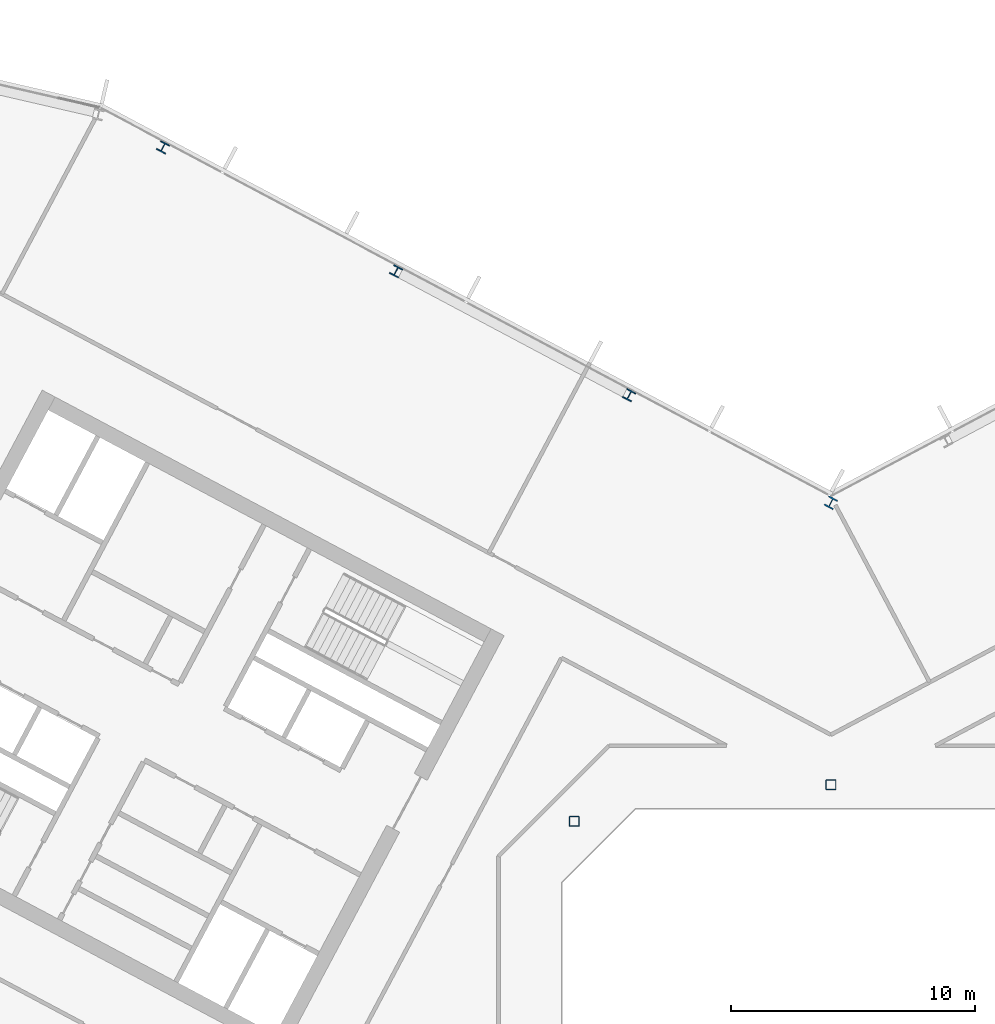
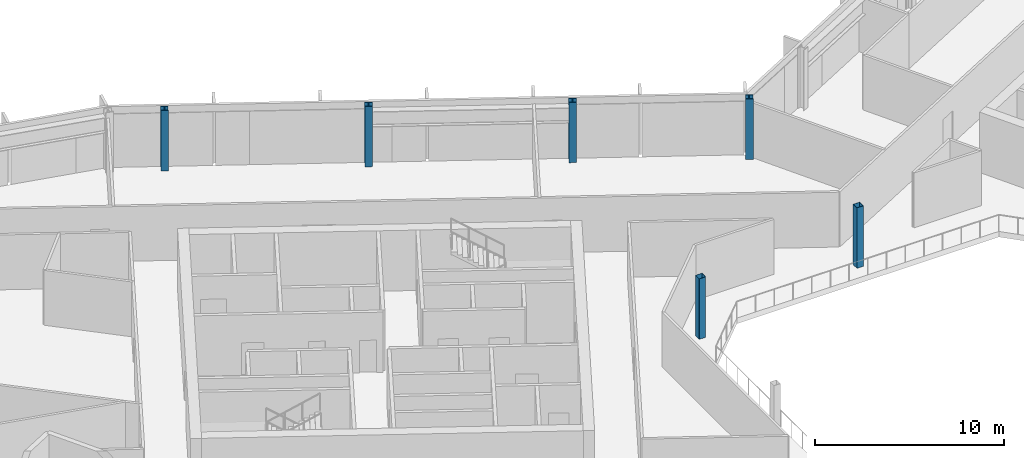
# One storey, part 4 of 26: 6 columns.
"""IFC4 building model written with IfcOpenShell, lengths in metres."""

from ifc_helpers import new_model, si_unit, direction, frame, origin, origin_2d, place, context, subcontext, project, spatial, hollow_rectangle, i_section, extrude, material, material_profile, profile_set, type_object, element, save


model = new_model("IFC4")

# Units and contexts
model_context = context("Model", 3, precision=1e-05, world=origin(), true_north=direction((0.0, 1.0)))
body_context = subcontext(model_context, "Body", "Model", "MODEL_VIEW")
ifc_project = project(units=[si_unit("LENGTHUNIT", "METRE"), si_unit("AREAUNIT", "SQUARE_METRE"), si_unit("VOLUMEUNIT", "CUBIC_METRE"), si_unit("PLANEANGLEUNIT", "RADIAN"), si_unit("MASSUNIT", "GRAM", prefix="KILO")], contexts=[model_context])

# Site, building, storey
site_placement = place(None, origin())
site = spatial("IfcSite", under=ifc_project, at=site_placement, CompositionType="ELEMENT")
building_placement = place(site_placement, origin())
building = spatial("IfcBuilding", under=site, at=building_placement, Name="Cormorant Relay Tower", CompositionType="ELEMENT")
storey_placement = place(building_placement, frame((0.0, 0.0, 236.39990234375)))
storey = spatial("IfcBuildingStorey", under=building, at=storey_placement, Name="L52", CompositionType="ELEMENT", Elevation=236.39990234375)

# Columns
ifc_material_1 = material(Name="Steel ASTM A500 Grade C (Fy 345 MPa)", Category="steel")
ifc_material_profile_1 = material_profile(ifc_material_1, hollow_rectangle(XDim=0.406494140625, YDim=0.406494140625, WallThickness=0.0146484375, InnerFilletRadius=0.00732421875, OuterFilletRadius=0.022216796875, at=origin_2d()), Name="HSS406x406x15")
ifc_profile_set_1 = profile_set([ifc_material_profile_1], Name="Steel ASTM A500 Grade C (Fy 345 MPa)")
column_type_1 = type_object("IfcColumnType", Name="Column HSS406x406x15", PredefinedType="COLUMN", material=ifc_profile_set_1)
for number, where, z_axis, x_axis, name in (
    (1, (-10.5, 10.5, 0.0), (0.0, 0.0, 1.0), (1.0, 0.0, 0.0), "Column L52-023"),
    (2, (0.0, 12.0, 0.0), (0.0, 0.0, 1.0), (1.0, 0.0, 0.0), "Column L52-025"),
):
    element("IfcColumn", number, at=place(storey_placement, frame(where, z_axis=z_axis, x_axis=x_axis)), inside=storey, type_object=column_type_1, Name=name, PredefinedType="COLUMN", context=body_context, shape_type="SweptSolid", body=[
        extrude(hollow_rectangle(XDim=0.406494140625, YDim=0.406494140625, WallThickness=0.0146484375, InnerFilletRadius=0.00732421875, OuterFilletRadius=0.022216796875, at=origin_2d()), origin(), (0.0, 0.0, 1.0), 3.900146484375),
    ])
ifc_material_2 = material(Name="Steel ASTM A992 (Fy 345 MPa)", Category="steel")
ifc_material_profile_2 = material_profile(ifc_material_2, i_section(OverallWidth=0.40380859375, OverallDepth=0.406494140625, WebThickness=0.027099609375, FlangeThickness=0.043701171875, FilletRadius=0.01513671875, at=origin_2d()), Name="W360x347")
ifc_profile_set_2 = profile_set([ifc_material_profile_2], Name="Steel ASTM A992 (Fy 345 MPa)")
column_type_2 = type_object("IfcColumnType", Name="Column W360x347", PredefinedType="COLUMN", material=ifc_profile_set_2)
for number, where, z_axis, x_axis, name in (
    (3, (-8.251953125, 27.93408203125, 0.0), (0.0, 0.0, 1.0), (-0.882947592859, 0.469471562786, 0.0), "Column L52-033"),
    (4, (-17.7880859375, 33.00390625, 0.0), (0.0, 0.0, 1.0), (-0.882947592859, 0.469471562786, 0.0), "Column L52-037"),
    (5, (-27.322998046875, 38.073974609375, 0.0), (0.0, 0.0, 1.0), (-0.882947592859, 0.469471562786, 0.0), "Column L52-040"),
):
    element("IfcColumn", number, at=place(storey_placement, frame(where, z_axis=z_axis, x_axis=x_axis)), inside=storey, type_object=column_type_2, Name=name, PredefinedType="COLUMN", context=body_context, shape_type="SweptSolid", body=[
        extrude(i_section(OverallWidth=0.40380859375, OverallDepth=0.406494140625, WebThickness=0.027099609375, FlangeThickness=0.043701171875, FilletRadius=0.01513671875, at=origin_2d()), origin(), (0.0, 0.0, 1.0), 3.900146484375),
    ])
ifc_material_3 = material(Name="Steel ASTM A992 (Fy 345 MPa)", Category="steel")
ifc_material_profile_3 = material_profile(ifc_material_3, i_section(OverallWidth=0.41162109375, OverallDepth=0.434326171875, WebThickness=0.035888671875, FlangeThickness=0.057373046875, FilletRadius=0.01513671875, at=origin_2d()), Name="W360x463")
ifc_profile_set_3 = profile_set([ifc_material_profile_3], Name="Steel ASTM A992 (Fy 345 MPa)")
column_type_3 = type_object("IfcColumnType", Name="Column W360x463", PredefinedType="COLUMN", material=ifc_profile_set_3)
column_placement = place(storey_placement, frame((0.0, 23.533935546875, 0.0), z_axis=(0.0, 0.0, 1.0), x_axis=(-0.882947592859, 0.469471562786, 0.0)))
element("IfcColumn", 6, at=column_placement, inside=storey, type_object=column_type_3, Name="Column L52-030", PredefinedType="COLUMN", context=body_context, shape_type="SweptSolid", body=[
    extrude(i_section(OverallWidth=0.41162109375, OverallDepth=0.434326171875, WebThickness=0.035888671875, FlangeThickness=0.057373046875, FilletRadius=0.01513671875, at=origin_2d()), origin(), (0.0, 0.0, 1.0), 3.900146484375),
])

save(model, "model.ifc")
